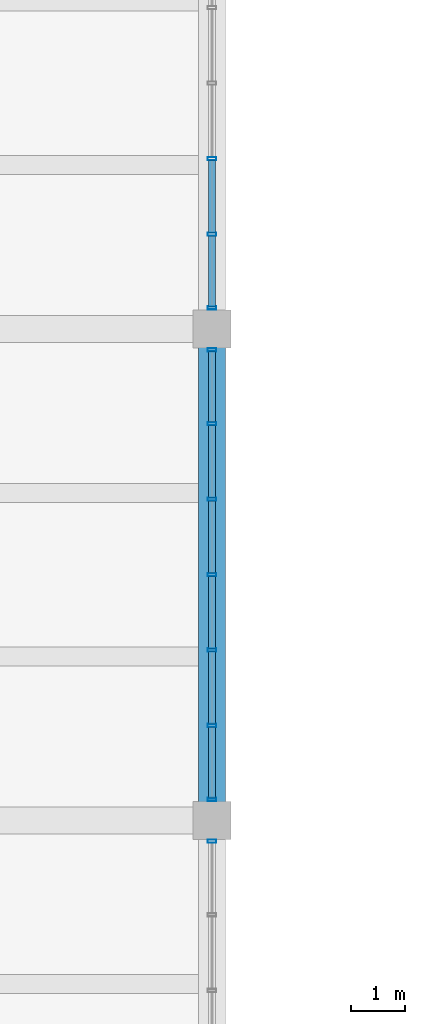
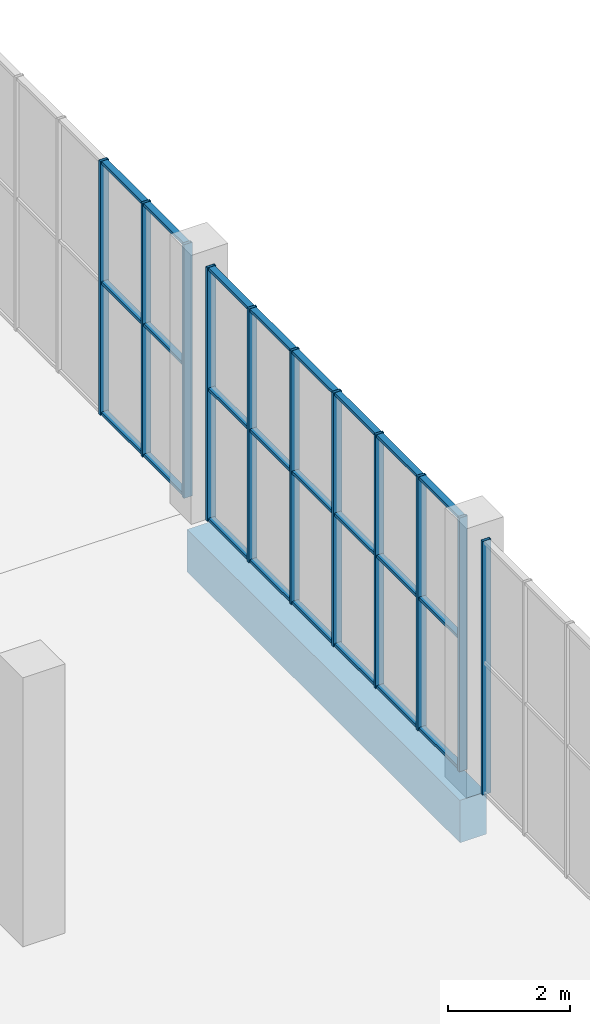
# One storey, part 19 of 91: 35 members, 1 beam, 3 elements without a shape of their own.
"""IFC4 building model written with IfcOpenShell, lengths in metres."""

import ifcopenshell
import ifcopenshell.guid

model = None  # the IFC model being written
_history = None  # IfcOwnerHistory: only IFC2X3 demands one
_inside = {}  # id of a spatial element -> (the spatial element, [elements in it])
_under = {}  # id of a project, library or spatial element -> (it, [spatial elements below it])
_declared = {}  # id of a project -> (the project, [libraries it declares])
_typed = {}  # id of a type object -> (the type object, [elements of that type])
_made_of = {}  # id of a material, layer set ... -> (it, [elements and type objects made of it])


def new_model(schema):
    """Start an empty IFC model of exactly this schema.

    Asked for "IFC4X3", IfcOpenShell would pick the latest addendum, in which some entities
    have other attributes; the version numbers below select the first issue.
    IFC2X3 requires an IfcOwnerHistory on every rooted entity: one is made here for all.
    """
    global model, _history
    if schema == "IFC4X3":
        model = ifcopenshell.file(schema_version=(4, 3, 0, 0))
    else:
        model = ifcopenshell.file(schema=schema)
    _inside.clear()
    _under.clear()
    _declared.clear()
    _typed.clear()
    _made_of.clear()
    _history = None
    if model.schema == "IFC2X3":
        org = make("IfcOrganization", Name="unknown")
        user = make(
            "IfcPersonAndOrganization",
            ThePerson=make("IfcPerson", FamilyName="unknown"),
            TheOrganization=org,
        )
        app = make(
            "IfcApplication",
            ApplicationDeveloper=org,
            Version="unknown",
            ApplicationFullName="unknown",
            ApplicationIdentifier="unknown",
        )
        _history = make(
            "IfcOwnerHistory",
            OwningUser=user,
            OwningApplication=app,
            ChangeAction="ADDED",
            CreationDate=0,
        )
    return model


def make(cls, **values):
    """One entity of the class cls with the attributes given. An attribute that is None is left unset."""
    return model.create_entity(
        cls, **{name: value for name, value in values.items() if value is not None}
    )


def rooted(cls, **values):
    """An entity with a GlobalId (a new one), such as an element, a storey or a relation."""
    return make(cls, GlobalId=ifcopenshell.guid.new(), OwnerHistory=_history, **values)


def si_unit(unit_type, name, prefix=None):
    """IfcSIUnit, for example si_unit("LENGTHUNIT", "METRE", prefix="MILLI")."""
    return make("IfcSIUnit", UnitType=unit_type, Prefix=prefix, Name=name)


def assignment(units):
    """IfcUnitAssignment: the units of a project."""
    return None if units is None else make("IfcUnitAssignment", Units=units)


def point(xyz):
    """IfcCartesianPoint."""
    return None if xyz is None else make("IfcCartesianPoint", Coordinates=xyz)


def direction(xyz):
    """IfcDirection."""
    return None if xyz is None else make("IfcDirection", DirectionRatios=xyz)


def frame(location, z_axis=None, x_axis=None):
    """IfcAxis2Placement3D, a coordinate frame: its origin and axes. An axis left out is left unset."""
    return make(
        "IfcAxis2Placement3D",
        Location=point(location),
        Axis=direction(z_axis),
        RefDirection=direction(x_axis),
    )


def frame_2d(location, x_axis=None):
    """IfcAxis2Placement2D, a coordinate frame in the plane: its origin and x axis."""
    return make(
        "IfcAxis2Placement2D", Location=point(location), RefDirection=direction(x_axis)
    )


def origin():
    """The frame at (0, 0, 0) with its axes left unset."""
    return frame((0.0, 0.0, 0.0))


def origin_2d():
    """The frame at (0, 0) in the plane with its x axis left unset."""
    return frame_2d((0.0, 0.0))


def place(relative_to, where):
    """IfcLocalPlacement: puts the frame where relative to a parent placement (None: the world)."""
    return make(
        "IfcLocalPlacement", PlacementRelTo=relative_to, RelativePlacement=where
    )


def context(
    kind, dimensions, precision=None, world=None, true_north=None, identifier=None
):
    """IfcGeometricRepresentationContext, for example the 3D "Model" context."""
    return make(
        "IfcGeometricRepresentationContext",
        ContextIdentifier=identifier,
        ContextType=kind,
        CoordinateSpaceDimension=dimensions,
        Precision=precision,
        WorldCoordinateSystem=world,
        TrueNorth=true_north,
    )


def subcontext(parent, identifier, kind, view, scale=None):
    """IfcGeometricRepresentationSubContext, for example "Body" below "Model"."""
    return make(
        "IfcGeometricRepresentationSubContext",
        ContextIdentifier=identifier,
        ContextType=kind,
        ParentContext=parent,
        TargetScale=scale,
        TargetView=view,
    )


def project(units=None, contexts=None):
    """IfcProject with its units and contexts."""
    return rooted(
        "IfcProject",
        Name="project",
        RepresentationContexts=contexts,
        UnitsInContext=assignment(units),
    )


def spatial(cls, under=None, at=None, **own):
    """A site, building, storey or space (cls), placed at a placement, below another one or the project."""
    s = rooted(cls, ObjectPlacement=at, **own)
    if under is not None:
        _under.setdefault(under.id(), (under, []))[1].append(s)
    return s


def profile(cls, at=None, kind="AREA", **sizes):
    """A parametric profile (cls). Its sizes go by their IFC names, for example OverallWidth=200.0."""
    return make(cls, ProfileType=kind, Position=at, **sizes)


def rectangle(**sizes):
    """IfcRectangleProfileDef."""
    return profile("IfcRectangleProfileDef", **sizes)


def hollow_rectangle(**sizes):
    """IfcRectangleHollowProfileDef."""
    return profile("IfcRectangleHollowProfileDef", **sizes)


def extrude(swept, where, along, depth):
    """IfcExtrudedAreaSolid: the profile swept, set in the frame where, extruded along a direction by depth."""
    return make(
        "IfcExtrudedAreaSolid",
        SweptArea=swept,
        Position=where,
        ExtrudedDirection=direction(along),
        Depth=depth,
    )


def shape(context_of_items, identifier, shape_type, items):
    """IfcShapeRepresentation: the items that make up one representation, for example the "Body"."""
    return make(
        "IfcShapeRepresentation",
        ContextOfItems=context_of_items,
        RepresentationIdentifier=identifier,
        RepresentationType=shape_type,
        Items=items,
    )


def material(Name=None, Category=None):
    """IfcMaterial."""
    return make("IfcMaterial", Name=Name, Category=Category)


def material_profile(
    of_material, cross_section, Name=None, Category=None, Priority=None
):
    """IfcMaterialProfile: a cross section and its material."""
    return make(
        "IfcMaterialProfile",
        Name=Name,
        Material=of_material,
        Profile=cross_section,
        Priority=Priority,
        Category=Category,
    )


def profile_set(profiles, Name=None, composite=None):
    """IfcMaterialProfileSet."""
    return make(
        "IfcMaterialProfileSet",
        Name=Name,
        MaterialProfiles=profiles,
        CompositeProfile=composite,
    )


def made_of(thing, what):
    """Note that an element or type object is made of a material, layer set ...; save() writes the relation."""
    if what is not None:
        _made_of.setdefault(what.id(), (what, []))[1].append(thing)
    return thing


def type_object(cls, material=None, **own):
    """A type object (cls), such as IfcWallType, which elements share."""
    return made_of(rooted(cls, **own), material)


def element(
    cls,
    number,
    at=None,
    inside=None,
    cuts=None,
    type_object=None,
    material=None,
    context=None,
    identifier="Body",
    shape_type=None,
    held_by="IfcProductDefinitionShape",
    body=None,
    shapes=None,
    **own,
):
    """One element of the class cls, such as IfcWall. Its Tag is "e" and its number.

    at: its placement. inside: the storey or other place that contains it. cuts: it is an
    opening in that element (IfcRelVoidsElement). A single representation is given by context,
    identifier, shape_type and body (its items); several are given by shapes. held_by: the class
    of the entity that holds the representations. save() writes the other relations.
    """
    e = rooted(cls, Tag="e%d" % number, ObjectPlacement=at, **own)
    if body is not None:
        shapes = [shape(context, identifier, shape_type, body)]
    if shapes is not None:
        e.Representation = make(held_by, Representations=shapes)
    if inside is not None:
        _inside.setdefault(inside.id(), (inside, []))[1].append(e)
    if cuts is not None:
        rooted(
            "IfcRelVoidsElement", RelatingBuildingElement=cuts, RelatedOpeningElement=e
        )
    if type_object is not None:
        _typed.setdefault(type_object.id(), (type_object, []))[1].append(e)
    return made_of(e, material)


def aggregate(whole, parts):
    """IfcRelAggregates: a whole, such as a stair, and the parts it consists of."""
    return rooted("IfcRelAggregates", RelatingObject=whole, RelatedObjects=parts)


def save(model, path):
    """Write the relations noted so far, then the file.

    IfcRelAggregates (storeys below a building ...), IfcRelContainedInSpatialStructure (elements
    in a storey), IfcRelDefinesByType, IfcRelAssociatesMaterial and IfcRelDeclares: one each for
    every whole, place, type object, material and project.
    """
    for whole, parts in _under.values():
        aggregate(whole, parts)
    for where, things in _inside.values():
        rooted(
            "IfcRelContainedInSpatialStructure",
            RelatedElements=things,
            RelatingStructure=where,
        )
    for kind, things in _typed.values():
        rooted("IfcRelDefinesByType", RelatedObjects=things, RelatingType=kind)
    for what, things in _made_of.values():
        rooted("IfcRelAssociatesMaterial", RelatedObjects=things, RelatingMaterial=what)
    for by, libraries in _declared.values():
        rooted("IfcRelDeclares", RelatingContext=by, RelatedDefinitions=libraries)
    model.write(path)


model = new_model("IFC4")

# Units and contexts
model_context = context("Model", 3, precision=1e-05, world=origin(), true_north=direction((0.0, 1.0)))
body_context = subcontext(model_context, "Body", "Model", "MODEL_VIEW")
ifc_project = project(units=[si_unit("LENGTHUNIT", "METRE"), si_unit("AREAUNIT", "SQUARE_METRE"), si_unit("VOLUMEUNIT", "CUBIC_METRE"), si_unit("PLANEANGLEUNIT", "RADIAN"), si_unit("MASSUNIT", "GRAM", prefix="KILO")], contexts=[model_context])

# Site, building, storey
site_placement = place(None, origin())
site = spatial("IfcSite", under=ifc_project, at=site_placement, CompositionType="ELEMENT")
building_placement = place(site_placement, origin())
building = spatial("IfcBuilding", under=site, at=building_placement, Name="Khurvash Pelagic Aquarium", CompositionType="ELEMENT")
storey_placement = place(building_placement, origin())
storey = spatial("IfcBuildingStorey", under=building, at=storey_placement, Name="L00", CompositionType="ELEMENT", Elevation=0.0)

# Curtain wall, member
ifc_material_1 = material(Name="Anodised aluminium and low-E laminated glass", Category="aluminium")
curtain_wall_type = type_object("IfcCurtainWallType", Name="CW-05", PredefinedType="USERDEFINED", material=ifc_material_1)
curtain_wall_1_placement = place(storey_placement, origin())
curtain_wall_1 = element("IfcCurtainWall", 1, at=curtain_wall_1_placement, inside=storey, type_object=curtain_wall_type, Name="L00 Facade Unitised Curtain Wall CW-05 0075", ObjectType="UNITISED CURTAIN WALL", PredefinedType="USERDEFINED")
ifc_material_2 = material(Name="Extruded aluminium AW-6063-T6", Category="aluminium")
ifc_material_profile_1 = material_profile(ifc_material_2, hollow_rectangle(XDim=0.06005859375, YDim=0.159912109375, WallThickness=0.00390625, at=origin_2d()), Name="CWM60X160X4")
ifc_profile_set_1 = profile_set([ifc_material_profile_1], Name="Extruded aluminium AW-6063-T6")
member_type_1 = type_object("IfcMemberType", Name="CM-02", PredefinedType="MULLION", material=ifc_profile_set_1)
member_1_placement = place(storey_placement, frame((33.60009765625, 47.465087890625, 0.0), z_axis=(0.0, 0.0, 1.0), x_axis=(0.0, 1.0, 0.0)))
member_1 = element("IfcMember", 2, at=member_1_placement, type_object=member_type_1, Name="CW-05 mullion 7", PredefinedType="MULLION", context=body_context, shape_type="SweptSolid", body=[
    extrude(hollow_rectangle(XDim=0.06005859375, YDim=0.159912109375, WallThickness=0.00390625, at=origin_2d()), origin(), (0.0, 0.0, 1.0), 5.090087890625),
])
aggregate(curtain_wall_1, [member_1])

# Curtain wall, members
curtain_wall_2_placement = place(storey_placement, origin())
curtain_wall_2 = element("IfcCurtainWall", 3, at=curtain_wall_2_placement, inside=storey, type_object=curtain_wall_type, Name="L00 Facade Unitised Curtain Wall CW-05 0076", ObjectType="UNITISED CURTAIN WALL", PredefinedType="USERDEFINED")
member_2_placement = place(storey_placement, frame((33.60009765625, 48.235107421875, 0.0), z_axis=(0.0, 0.0, 1.0), x_axis=(0.0, 1.0, 0.0)))
member_2 = element("IfcMember", 4, at=member_2_placement, type_object=member_type_1, Name="CW-05 mullion 1", PredefinedType="MULLION", context=body_context, shape_type="SweptSolid", body=[
    extrude(hollow_rectangle(XDim=0.06005859375, YDim=0.159912109375, WallThickness=0.00390625, at=origin_2d()), origin(), (0.0, 0.0, 1.0), 5.090087890625),
])
member_3_placement = place(storey_placement, frame((33.60009765625, 49.594970703125, 0.0), z_axis=(0.0, 0.0, 1.0), x_axis=(0.0, 1.0, 0.0)))
member_3 = element("IfcMember", 5, at=member_3_placement, type_object=member_type_1, Name="CW-05 mullion 2", PredefinedType="MULLION", context=body_context, shape_type="SweptSolid", body=[
    extrude(hollow_rectangle(XDim=0.06005859375, YDim=0.159912109375, WallThickness=0.00390625, at=origin_2d()), origin(), (0.0, 0.0, 1.0), 5.090087890625),
])
member_4_placement = place(storey_placement, frame((33.60009765625, 50.985107421875, 0.0), z_axis=(0.0, 0.0, 1.0), x_axis=(0.0, 1.0, 0.0)))
member_4 = element("IfcMember", 6, at=member_4_placement, type_object=member_type_1, Name="CW-05 mullion 3", PredefinedType="MULLION", context=body_context, shape_type="SweptSolid", body=[
    extrude(hollow_rectangle(XDim=0.06005859375, YDim=0.159912109375, WallThickness=0.00390625, at=origin_2d()), origin(), (0.0, 0.0, 1.0), 5.090087890625),
])
member_5_placement = place(storey_placement, frame((33.60009765625, 52.375, 0.0), z_axis=(0.0, 0.0, 1.0), x_axis=(0.0, 1.0, 0.0)))
member_5 = element("IfcMember", 7, at=member_5_placement, type_object=member_type_1, Name="CW-05 mullion 4", PredefinedType="MULLION", context=body_context, shape_type="SweptSolid", body=[
    extrude(hollow_rectangle(XDim=0.06005859375, YDim=0.159912109375, WallThickness=0.00390625, at=origin_2d()), origin(), (0.0, 0.0, 1.0), 5.090087890625),
])
member_6_placement = place(storey_placement, frame((33.60009765625, 53.764892578125, 0.0), z_axis=(0.0, 0.0, 1.0), x_axis=(0.0, 1.0, 0.0)))
member_6 = element("IfcMember", 8, at=member_6_placement, type_object=member_type_1, Name="CW-05 mullion 5", PredefinedType="MULLION", context=body_context, shape_type="SweptSolid", body=[
    extrude(hollow_rectangle(XDim=0.06005859375, YDim=0.159912109375, WallThickness=0.00390625, at=origin_2d()), origin(), (0.0, 0.0, 1.0), 5.090087890625),
])
member_7_placement = place(storey_placement, frame((33.60009765625, 55.155029296875, 0.0), z_axis=(0.0, 0.0, 1.0), x_axis=(0.0, 1.0, 0.0)))
member_7 = element("IfcMember", 9, at=member_7_placement, type_object=member_type_1, Name="CW-05 mullion 6", PredefinedType="MULLION", context=body_context, shape_type="SweptSolid", body=[
    extrude(hollow_rectangle(XDim=0.06005859375, YDim=0.159912109375, WallThickness=0.00390625, at=origin_2d()), origin(), (0.0, 0.0, 1.0), 5.090087890625),
])
member_8_placement = place(storey_placement, frame((33.60009765625, 56.514892578125, 0.0), z_axis=(0.0, 0.0, 1.0), x_axis=(0.0, 1.0, 0.0)))
member_8 = element("IfcMember", 10, at=member_8_placement, type_object=member_type_1, Name="CW-05 mullion 7", PredefinedType="MULLION", context=body_context, shape_type="SweptSolid", body=[
    extrude(hollow_rectangle(XDim=0.06005859375, YDim=0.159912109375, WallThickness=0.00390625, at=origin_2d()), origin(), (0.0, 0.0, 1.0), 5.090087890625),
])

curtain_wall_3_placement = place(storey_placement, origin())
curtain_wall_3 = element("IfcCurtainWall", 11, at=curtain_wall_3_placement, inside=storey, type_object=curtain_wall_type, Name="L00 Facade Unitised Curtain Wall CW-05 0077", ObjectType="UNITISED CURTAIN WALL", PredefinedType="USERDEFINED")
member_9_placement = place(storey_placement, frame((33.60009765625, 57.284912109375, 0.0), z_axis=(0.0, 0.0, 1.0), x_axis=(0.0, 1.0, 0.0)))
member_9 = element("IfcMember", 12, at=member_9_placement, type_object=member_type_1, Name="CW-05 mullion 1", PredefinedType="MULLION", context=body_context, shape_type="SweptSolid", body=[
    extrude(hollow_rectangle(XDim=0.06005859375, YDim=0.159912109375, WallThickness=0.00390625, at=origin_2d()), origin(), (0.0, 0.0, 1.0), 5.090087890625),
])
member_10_placement = place(storey_placement, frame((33.60009765625, 58.64501953125, 0.0), z_axis=(0.0, 0.0, 1.0), x_axis=(0.0, 1.0, 0.0)))
member_10 = element("IfcMember", 13, at=member_10_placement, type_object=member_type_1, Name="CW-05 mullion 2", PredefinedType="MULLION", context=body_context, shape_type="SweptSolid", body=[
    extrude(hollow_rectangle(XDim=0.06005859375, YDim=0.159912109375, WallThickness=0.00390625, at=origin_2d()), origin(), (0.0, 0.0, 1.0), 5.090087890625),
])
member_11_placement = place(storey_placement, frame((33.60009765625, 60.034912109375, 0.0), z_axis=(0.0, 0.0, 1.0), x_axis=(0.0, 1.0, 0.0)))
member_11 = element("IfcMember", 14, at=member_11_placement, type_object=member_type_1, Name="CW-05 mullion 3", PredefinedType="MULLION", context=body_context, shape_type="SweptSolid", body=[
    extrude(hollow_rectangle(XDim=0.06005859375, YDim=0.159912109375, WallThickness=0.00390625, at=origin_2d()), origin(), (0.0, 0.0, 1.0), 5.090087890625),
])

# Member
ifc_material_profile_2 = material_profile(ifc_material_2, hollow_rectangle(XDim=0.1201171875, YDim=0.06005859375, WallThickness=0.00390625, at=origin_2d()), Name="CWT120X60X4")
ifc_profile_set_2 = profile_set([ifc_material_profile_2], Name="Extruded aluminium AW-6063-T6")
member_type_2 = type_object("IfcMemberType", Name="CT-02", PredefinedType="USERDEFINED", material=ifc_profile_set_2)
member_12_placement = place(storey_placement, frame((33.60009765625, 48.264892578125, 0.030029296875), z_axis=(0.0, 1.0, 0.0), x_axis=(-1.0, 0.0, 0.0)))
member_12 = element("IfcMember", 15, at=member_12_placement, type_object=member_type_2, Name="CW-05 transom 1.1", ObjectType="TRANSOM", PredefinedType="USERDEFINED", context=body_context, shape_type="SweptSolid", body=[
    extrude(hollow_rectangle(XDim=0.1201171875, YDim=0.06005859375, WallThickness=0.00390625, at=origin_2d()), origin(), (0.0, 0.0, 1.0), 1.300048828125),
])

member_13_placement = place(storey_placement, frame((33.60009765625, 48.264892578125, 2.64697265625), z_axis=(0.0, 1.0, 0.0), x_axis=(-1.0, 0.0, 0.0)))
member_13 = element("IfcMember", 16, at=member_13_placement, type_object=member_type_2, Name="CW-05 transom 1.2", ObjectType="TRANSOM", PredefinedType="USERDEFINED", context=body_context, shape_type="SweptSolid", body=[
    extrude(hollow_rectangle(XDim=0.1201171875, YDim=0.06005859375, WallThickness=0.00390625, at=origin_2d()), origin(), (0.0, 0.0, 1.0), 1.300048828125),
])

member_14_placement = place(storey_placement, frame((33.60009765625, 48.264892578125, 5.06005859375), z_axis=(0.0, 1.0, 0.0), x_axis=(-1.0, 0.0, 0.0)))
member_14 = element("IfcMember", 17, at=member_14_placement, type_object=member_type_2, Name="CW-05 transom 1.3", ObjectType="TRANSOM", PredefinedType="USERDEFINED", context=body_context, shape_type="SweptSolid", body=[
    extrude(hollow_rectangle(XDim=0.1201171875, YDim=0.06005859375, WallThickness=0.00390625, at=origin_2d()), origin(), (0.0, 0.0, 1.0), 1.300048828125),
])

member_15_placement = place(storey_placement, frame((33.60009765625, 49.625, 0.030029296875), z_axis=(0.0, 1.0, 0.0), x_axis=(-1.0, 0.0, 0.0)))
member_15 = element("IfcMember", 18, at=member_15_placement, type_object=member_type_2, Name="CW-05 transom 2.1", ObjectType="TRANSOM", PredefinedType="USERDEFINED", context=body_context, shape_type="SweptSolid", body=[
    extrude(hollow_rectangle(XDim=0.1201171875, YDim=0.06005859375, WallThickness=0.00390625, at=origin_2d()), origin(), (0.0, 0.0, 1.0), 1.330078125),
])

member_16_placement = place(storey_placement, frame((33.60009765625, 49.625, 2.64697265625), z_axis=(0.0, 1.0, 0.0), x_axis=(-1.0, 0.0, 0.0)))
member_16 = element("IfcMember", 19, at=member_16_placement, type_object=member_type_2, Name="CW-05 transom 2.2", ObjectType="TRANSOM", PredefinedType="USERDEFINED", context=body_context, shape_type="SweptSolid", body=[
    extrude(hollow_rectangle(XDim=0.1201171875, YDim=0.06005859375, WallThickness=0.00390625, at=origin_2d()), origin(), (0.0, 0.0, 1.0), 1.330078125),
])

member_17_placement = place(storey_placement, frame((33.60009765625, 49.625, 5.06005859375), z_axis=(0.0, 1.0, 0.0), x_axis=(-1.0, 0.0, 0.0)))
member_17 = element("IfcMember", 20, at=member_17_placement, type_object=member_type_2, Name="CW-05 transom 2.3", ObjectType="TRANSOM", PredefinedType="USERDEFINED", context=body_context, shape_type="SweptSolid", body=[
    extrude(hollow_rectangle(XDim=0.1201171875, YDim=0.06005859375, WallThickness=0.00390625, at=origin_2d()), origin(), (0.0, 0.0, 1.0), 1.330078125),
])

member_18_placement = place(storey_placement, frame((33.60009765625, 51.014892578125, 0.030029296875), z_axis=(0.0, 1.0, 0.0), x_axis=(-1.0, 0.0, 0.0)))
member_18 = element("IfcMember", 21, at=member_18_placement, type_object=member_type_2, Name="CW-05 transom 3.1", ObjectType="TRANSOM", PredefinedType="USERDEFINED", context=body_context, shape_type="SweptSolid", body=[
    extrude(hollow_rectangle(XDim=0.1201171875, YDim=0.06005859375, WallThickness=0.00390625, at=origin_2d()), origin(), (0.0, 0.0, 1.0), 1.330078125),
])

member_19_placement = place(storey_placement, frame((33.60009765625, 51.014892578125, 2.64697265625), z_axis=(0.0, 1.0, 0.0), x_axis=(-1.0, 0.0, 0.0)))
member_19 = element("IfcMember", 22, at=member_19_placement, type_object=member_type_2, Name="CW-05 transom 3.2", ObjectType="TRANSOM", PredefinedType="USERDEFINED", context=body_context, shape_type="SweptSolid", body=[
    extrude(hollow_rectangle(XDim=0.1201171875, YDim=0.06005859375, WallThickness=0.00390625, at=origin_2d()), origin(), (0.0, 0.0, 1.0), 1.330078125),
])

member_20_placement = place(storey_placement, frame((33.60009765625, 51.014892578125, 5.06005859375), z_axis=(0.0, 1.0, 0.0), x_axis=(-1.0, 0.0, 0.0)))
member_20 = element("IfcMember", 23, at=member_20_placement, type_object=member_type_2, Name="CW-05 transom 3.3", ObjectType="TRANSOM", PredefinedType="USERDEFINED", context=body_context, shape_type="SweptSolid", body=[
    extrude(hollow_rectangle(XDim=0.1201171875, YDim=0.06005859375, WallThickness=0.00390625, at=origin_2d()), origin(), (0.0, 0.0, 1.0), 1.330078125),
])

member_21_placement = place(storey_placement, frame((33.60009765625, 52.405029296875, 0.030029296875), z_axis=(0.0, 1.0, 0.0), x_axis=(-1.0, 0.0, 0.0)))
member_21 = element("IfcMember", 24, at=member_21_placement, type_object=member_type_2, Name="CW-05 transom 4.1", ObjectType="TRANSOM", PredefinedType="USERDEFINED", context=body_context, shape_type="SweptSolid", body=[
    extrude(hollow_rectangle(XDim=0.1201171875, YDim=0.06005859375, WallThickness=0.00390625, at=origin_2d()), origin(), (0.0, 0.0, 1.0), 1.330078125),
])

member_22_placement = place(storey_placement, frame((33.60009765625, 52.405029296875, 2.64697265625), z_axis=(0.0, 1.0, 0.0), x_axis=(-1.0, 0.0, 0.0)))
member_22 = element("IfcMember", 25, at=member_22_placement, type_object=member_type_2, Name="CW-05 transom 4.2", ObjectType="TRANSOM", PredefinedType="USERDEFINED", context=body_context, shape_type="SweptSolid", body=[
    extrude(hollow_rectangle(XDim=0.1201171875, YDim=0.06005859375, WallThickness=0.00390625, at=origin_2d()), origin(), (0.0, 0.0, 1.0), 1.330078125),
])

member_23_placement = place(storey_placement, frame((33.60009765625, 52.405029296875, 5.06005859375), z_axis=(0.0, 1.0, 0.0), x_axis=(-1.0, 0.0, 0.0)))
member_23 = element("IfcMember", 26, at=member_23_placement, type_object=member_type_2, Name="CW-05 transom 4.3", ObjectType="TRANSOM", PredefinedType="USERDEFINED", context=body_context, shape_type="SweptSolid", body=[
    extrude(hollow_rectangle(XDim=0.1201171875, YDim=0.06005859375, WallThickness=0.00390625, at=origin_2d()), origin(), (0.0, 0.0, 1.0), 1.330078125),
])

member_24_placement = place(storey_placement, frame((33.60009765625, 53.794921875, 0.030029296875), z_axis=(0.0, 1.0, 0.0), x_axis=(-1.0, 0.0, 0.0)))
member_24 = element("IfcMember", 27, at=member_24_placement, type_object=member_type_2, Name="CW-05 transom 5.1", ObjectType="TRANSOM", PredefinedType="USERDEFINED", context=body_context, shape_type="SweptSolid", body=[
    extrude(hollow_rectangle(XDim=0.1201171875, YDim=0.06005859375, WallThickness=0.00390625, at=origin_2d()), origin(), (0.0, 0.0, 1.0), 1.330078125),
])

member_25_placement = place(storey_placement, frame((33.60009765625, 53.794921875, 2.64697265625), z_axis=(0.0, 1.0, 0.0), x_axis=(-1.0, 0.0, 0.0)))
member_25 = element("IfcMember", 28, at=member_25_placement, type_object=member_type_2, Name="CW-05 transom 5.2", ObjectType="TRANSOM", PredefinedType="USERDEFINED", context=body_context, shape_type="SweptSolid", body=[
    extrude(hollow_rectangle(XDim=0.1201171875, YDim=0.06005859375, WallThickness=0.00390625, at=origin_2d()), origin(), (0.0, 0.0, 1.0), 1.330078125),
])

member_26_placement = place(storey_placement, frame((33.60009765625, 53.794921875, 5.06005859375), z_axis=(0.0, 1.0, 0.0), x_axis=(-1.0, 0.0, 0.0)))
member_26 = element("IfcMember", 29, at=member_26_placement, type_object=member_type_2, Name="CW-05 transom 5.3", ObjectType="TRANSOM", PredefinedType="USERDEFINED", context=body_context, shape_type="SweptSolid", body=[
    extrude(hollow_rectangle(XDim=0.1201171875, YDim=0.06005859375, WallThickness=0.00390625, at=origin_2d()), origin(), (0.0, 0.0, 1.0), 1.330078125),
])

member_27_placement = place(storey_placement, frame((33.60009765625, 55.18505859375, 0.030029296875), z_axis=(0.0, 1.0, 0.0), x_axis=(-1.0, 0.0, 0.0)))
member_27 = element("IfcMember", 30, at=member_27_placement, type_object=member_type_2, Name="CW-05 transom 6.1", ObjectType="TRANSOM", PredefinedType="USERDEFINED", context=body_context, shape_type="SweptSolid", body=[
    extrude(hollow_rectangle(XDim=0.1201171875, YDim=0.06005859375, WallThickness=0.00390625, at=origin_2d()), origin(), (0.0, 0.0, 1.0), 1.300048828125),
])

member_28_placement = place(storey_placement, frame((33.60009765625, 55.18505859375, 2.64697265625), z_axis=(0.0, 1.0, 0.0), x_axis=(-1.0, 0.0, 0.0)))
member_28 = element("IfcMember", 31, at=member_28_placement, type_object=member_type_2, Name="CW-05 transom 6.2", ObjectType="TRANSOM", PredefinedType="USERDEFINED", context=body_context, shape_type="SweptSolid", body=[
    extrude(hollow_rectangle(XDim=0.1201171875, YDim=0.06005859375, WallThickness=0.00390625, at=origin_2d()), origin(), (0.0, 0.0, 1.0), 1.300048828125),
])

member_29_placement = place(storey_placement, frame((33.60009765625, 55.18505859375, 5.06005859375), z_axis=(0.0, 1.0, 0.0), x_axis=(-1.0, 0.0, 0.0)))
member_29 = element("IfcMember", 32, at=member_29_placement, type_object=member_type_2, Name="CW-05 transom 6.3", ObjectType="TRANSOM", PredefinedType="USERDEFINED", context=body_context, shape_type="SweptSolid", body=[
    extrude(hollow_rectangle(XDim=0.1201171875, YDim=0.06005859375, WallThickness=0.00390625, at=origin_2d()), origin(), (0.0, 0.0, 1.0), 1.300048828125),
])

aggregate(curtain_wall_2, [member_2, member_3, member_4, member_5, member_6, member_7, member_8, member_12, member_13, member_14, member_15, member_16, member_17, member_18, member_19, member_20, member_21, member_22, member_23, member_24, member_25, member_26, member_27, member_28, member_29])

member_30_placement = place(storey_placement, frame((33.60009765625, 57.31494140625, 0.030029296875), z_axis=(0.0, 1.0, 0.0), x_axis=(-1.0, 0.0, 0.0)))
member_30 = element("IfcMember", 33, at=member_30_placement, type_object=member_type_2, Name="CW-05 transom 1.1", ObjectType="TRANSOM", PredefinedType="USERDEFINED", context=body_context, shape_type="SweptSolid", body=[
    extrude(hollow_rectangle(XDim=0.1201171875, YDim=0.06005859375, WallThickness=0.00390625, at=origin_2d()), origin(), (0.0, 0.0, 1.0), 1.300048828125),
])

member_31_placement = place(storey_placement, frame((33.60009765625, 57.31494140625, 2.64697265625), z_axis=(0.0, 1.0, 0.0), x_axis=(-1.0, 0.0, 0.0)))
member_31 = element("IfcMember", 34, at=member_31_placement, type_object=member_type_2, Name="CW-05 transom 1.2", ObjectType="TRANSOM", PredefinedType="USERDEFINED", context=body_context, shape_type="SweptSolid", body=[
    extrude(hollow_rectangle(XDim=0.1201171875, YDim=0.06005859375, WallThickness=0.00390625, at=origin_2d()), origin(), (0.0, 0.0, 1.0), 1.300048828125),
])

member_32_placement = place(storey_placement, frame((33.60009765625, 57.31494140625, 5.06005859375), z_axis=(0.0, 1.0, 0.0), x_axis=(-1.0, 0.0, 0.0)))
member_32 = element("IfcMember", 35, at=member_32_placement, type_object=member_type_2, Name="CW-05 transom 1.3", ObjectType="TRANSOM", PredefinedType="USERDEFINED", context=body_context, shape_type="SweptSolid", body=[
    extrude(hollow_rectangle(XDim=0.1201171875, YDim=0.06005859375, WallThickness=0.00390625, at=origin_2d()), origin(), (0.0, 0.0, 1.0), 1.300048828125),
])

member_33_placement = place(storey_placement, frame((33.60009765625, 58.675048828125, 0.030029296875), z_axis=(0.0, 1.0, 0.0), x_axis=(-1.0, 0.0, 0.0)))
member_33 = element("IfcMember", 36, at=member_33_placement, type_object=member_type_2, Name="CW-05 transom 2.1", ObjectType="TRANSOM", PredefinedType="USERDEFINED", context=body_context, shape_type="SweptSolid", body=[
    extrude(hollow_rectangle(XDim=0.1201171875, YDim=0.06005859375, WallThickness=0.00390625, at=origin_2d()), origin(), (0.0, 0.0, 1.0), 1.329833984375),
])

member_34_placement = place(storey_placement, frame((33.60009765625, 58.675048828125, 2.64697265625), z_axis=(0.0, 1.0, 0.0), x_axis=(-1.0, 0.0, 0.0)))
member_34 = element("IfcMember", 37, at=member_34_placement, type_object=member_type_2, Name="CW-05 transom 2.2", ObjectType="TRANSOM", PredefinedType="USERDEFINED", context=body_context, shape_type="SweptSolid", body=[
    extrude(hollow_rectangle(XDim=0.1201171875, YDim=0.06005859375, WallThickness=0.00390625, at=origin_2d()), origin(), (0.0, 0.0, 1.0), 1.329833984375),
])

member_35_placement = place(storey_placement, frame((33.60009765625, 58.675048828125, 5.06005859375), z_axis=(0.0, 1.0, 0.0), x_axis=(-1.0, 0.0, 0.0)))
member_35 = element("IfcMember", 38, at=member_35_placement, type_object=member_type_2, Name="CW-05 transom 2.3", ObjectType="TRANSOM", PredefinedType="USERDEFINED", context=body_context, shape_type="SweptSolid", body=[
    extrude(hollow_rectangle(XDim=0.1201171875, YDim=0.06005859375, WallThickness=0.00390625, at=origin_2d()), origin(), (0.0, 0.0, 1.0), 1.329833984375),
])

aggregate(curtain_wall_3, [member_9, member_10, member_11, member_30, member_31, member_32, member_33, member_34, member_35])

# Beam
ifc_material_3 = material(Name="Concrete C40/50", Category="concrete")
ifc_material_profile_3 = material_profile(ifc_material_3, rectangle(XDim=0.5, YDim=0.85009765625, at=origin_2d()), Name="RC500X850")
ifc_profile_set_3 = profile_set([ifc_material_profile_3], Name="Concrete C40/50")
beam_type = type_object("IfcBeamType", Name="SEB-03", PredefinedType="SPANDREL", material=ifc_profile_set_3)
beam_placement = place(storey_placement, frame((33.60009765625, 47.889892578125, -0.7451171875), z_axis=(0.0, 1.0, 0.0), x_axis=(-1.0, 0.0, 0.0)))
element("IfcBeam", 39, at=beam_placement, inside=storey, type_object=beam_type, Name="L00 Primary Girder SEB-03 00093", PredefinedType="SPANDREL", context=body_context, shape_type="SweptSolid", body=[
    extrude(rectangle(XDim=0.5, YDim=0.85009765625, at=origin_2d()), origin(), (0.0, 0.0, 1.0), 8.97021484375),
])

save(model, "model.ifc")
